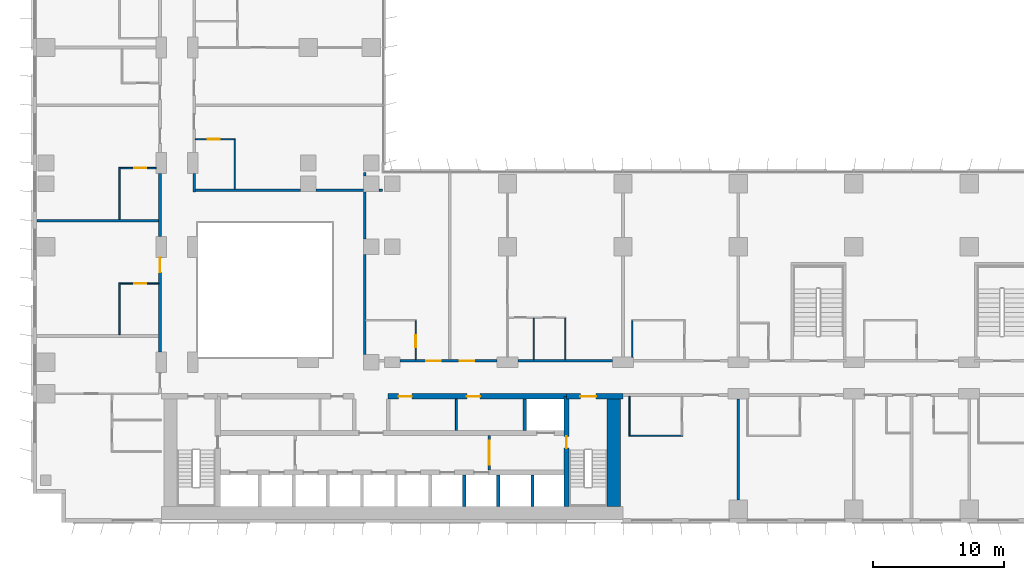
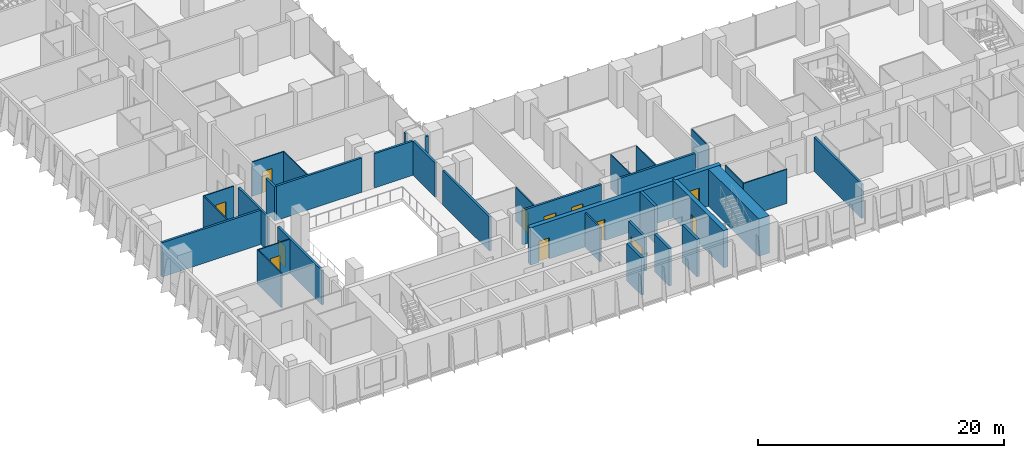
# One storey, part 13 of 24: 35 walls, 12 doors, 12 openings.
"""IFC4 building model written with IfcOpenShell, lengths in metres."""

from ifc_helpers import new_model, si_unit, direction, frame, frame_2d, origin, place, context, subcontext, project, spatial, rectangle, extrude, material, layer, layer_set, type_object, element, fill, save


model = new_model("IFC4")

# Units and contexts
model_context = context("Model", 3, precision=1e-05, world=origin(), true_north=direction((0.0, 1.0)))
body_context = subcontext(model_context, "Body", "Model", "MODEL_VIEW")
ifc_project = project(units=[si_unit("LENGTHUNIT", "METRE"), si_unit("AREAUNIT", "SQUARE_METRE"), si_unit("VOLUMEUNIT", "CUBIC_METRE"), si_unit("PLANEANGLEUNIT", "RADIAN"), si_unit("MASSUNIT", "GRAM", prefix="KILO")], contexts=[model_context])

# Site, building, storey
site_placement = place(None, origin())
site = spatial("IfcSite", under=ifc_project, at=site_placement, CompositionType="ELEMENT")
building_placement = place(site_placement, origin())
building = spatial("IfcBuilding", under=site, at=building_placement, Name="Kemantara Hotel Tower", CompositionType="ELEMENT")
storey_placement = place(building_placement, frame((0.0, 0.0, 41.39990234375)))
storey = spatial("IfcBuildingStorey", under=building, at=storey_placement, Name="L08", CompositionType="ELEMENT", Elevation=41.39990234375)

# Walls
ifc_material_1 = material(Name="Concrete fc 70 MPa", Category="concrete")
ifc_layer_1 = layer(ifc_material_1, 1.0)
ifc_layer_set_1 = layer_set([ifc_layer_1], Name="Concrete fc 70 MPa")
wall_type_1 = type_object("IfcWallType", Name="CORE WALL 1000 FC70", PredefinedType="SHEAR", material=ifc_layer_set_1)
wall_1_placement = place(storey_placement, frame((44.300048828125, 1.199951171875, 0.0), z_axis=(0.0, 0.0, 1.0), x_axis=(0.0, 1.0, 0.0)))
element("IfcWall", 1, at=wall_1_placement, inside=storey, type_object=wall_type_1, Name="CORE WALL CW-E", PredefinedType="SHEAR", context=body_context, shape_type="SweptSolid", body=[
    extrude(rectangle(XDim=8.60009765625, YDim=1.0, at=frame_2d((4.300048828125, 0.0))), origin(), (0.0, 0.0, 1.0), 3.7001953125),
])
ifc_layer_2 = layer(ifc_material_1, 0.25)
ifc_layer_set_2 = layer_set([ifc_layer_2], Name="Concrete fc 70 MPa")
wall_type_2 = type_object("IfcWallType", Name="CORE WALL 250 FC70", PredefinedType="SHEAR", material=ifc_layer_set_2)
for number, where, z_axis, x_axis, name in (
    (2, (32.89990234375, 1.199951171875, 0.0), (0.0, 0.0, 1.0), (0.0, 1.0, 0.0), "CORE WALL CW-DS32.9"),
    (3, (35.5, 1.199951171875, 0.0), (0.0, 0.0, 1.0), (0.0, 1.0, 0.0), "CORE WALL CW-DS35.5"),
    (4, (38.10009765625, 1.199951171875, 0.0), (0.0, 0.0, 1.0), (0.0, 1.0, 0.0), "CORE WALL CW-DS38.1"),
):
    element("IfcWall", number, at=place(storey_placement, frame(where, z_axis=z_axis, x_axis=x_axis)), inside=storey, type_object=wall_type_2, Name=name, PredefinedType="SHEAR", context=body_context, shape_type="SweptSolid", body=[
        extrude(rectangle(XDim=2.400146484375, YDim=0.25, at=frame_2d((1.2001953125, 0.0))), origin(), (0.0, 0.0, 1.0), 3.7001953125),
    ])
wall_2_placement = place(storey_placement, frame((37.5, 7.0, 0.0), z_axis=(0.0, 0.0, 1.0), x_axis=(0.0, 1.0, 0.0)))
element("IfcWall", 5, at=wall_2_placement, inside=storey, type_object=wall_type_2, Name="CORE WALL CW-DN37.5", PredefinedType="SHEAR", context=body_context, shape_type="SweptSolid", body=[
    extrude(rectangle(XDim=2.39990234375, YDim=0.25, at=frame_2d((1.199951171875, 0.0))), origin(), (0.0, 0.0, 1.0), 3.7001953125),
])

# Wall, opening, door
ifc_layer_3 = layer(ifc_material_1, 0.39990234375)
ifc_layer_set_3 = layer_set([ifc_layer_3], Name="Concrete fc 70 MPa")
wall_type_3 = type_object("IfcWallType", Name="CORE WALL 400 FC70", PredefinedType="SHEAR", material=ifc_layer_set_3)
wall_3_placement = place(storey_placement, frame((40.699951171875, 9.60009765625, 0.0), z_axis=(0.0, 0.0, 1.0), x_axis=(1.0, 0.0, 0.0)))
wall_3 = element("IfcWall", 6, at=wall_3_placement, inside=storey, type_object=wall_type_3, Name="CORE WALL CW-N2", PredefinedType="SHEAR", context=body_context, shape_type="SweptSolid", body=[
    extrude(rectangle(XDim=4.300048828125, YDim=0.39990234375, at=frame_2d((2.14990234375, 0.0))), origin(), (0.0, 0.0, 1.0), 3.7001953125),
])
opening_1_placement = place(wall_3_placement, frame((1.050048828125, 0.0, 0.0)))
opening_1 = element("IfcOpeningElement", 7, at=opening_1_placement, cuts=wall_3, Name="Opening C08-ST2-C", PredefinedType="OPENING", context=body_context, shape_type="SweptSolid", body=[
    extrude(rectangle(XDim=1.199951171875, YDim=2.10009765625, at=frame_2d((0.60009765625, 1.050048828125))), frame((0.0, 0.2099609375, 0.0), z_axis=(0.0, -1.0, 0.0), x_axis=(1.0, 0.0, 0.0)), (0.0, 0.0, 1.0), 0.419921875),
])
ifc_material_2 = material(Name="Steel fire door", Category="steel")
door_type_1 = type_object("IfcDoorType", Name="Fire door FD90 1200 x 2100", OperationType="NOTDEFINED", PredefinedType="DOOR", material=ifc_material_2)
door_1_placement = place(opening_1_placement, frame((1.199951171875, 0.0, 0.0), z_axis=(0.0, 0.0, 1.0), x_axis=(-1.0, 0.0, 0.0)))
door_1 = element("IfcDoor", 8, at=door_1_placement, inside=storey, type_object=door_type_1, Name="Stair ST2 door to corridor", OperationType="SINGLE_SWING_RIGHT", OverallHeight=2.10009765625, OverallWidth=1.199951171875, PredefinedType="DOOR", context=body_context, shape_type="SweptSolid", body=[
    extrude(rectangle(XDim=1.199951171875, YDim=2.10009765625, at=frame_2d((0.60009765625, 1.050048828125))), frame((0.0, 0.02490234375, 0.0), z_axis=(0.0, -1.0, 0.0), x_axis=(1.0, 0.0, 0.0)), (0.0, 0.0, 1.0), 0.050048828125),
])
fill(opening_1, door_1)

# Wall, openings, doors
wall_4_placement = place(storey_placement, frame((27.10009765625, 9.60009765625, 0.0), z_axis=(0.0, 0.0, 1.0), x_axis=(1.0, 0.0, 0.0)))
wall_4 = element("IfcWall", 9, at=wall_4_placement, inside=storey, type_object=wall_type_3, Name="CORE WALL CW-NN2", PredefinedType="SHEAR", context=body_context, shape_type="SweptSolid", body=[
    extrude(rectangle(XDim=13.599853515625, YDim=0.39990234375, at=frame_2d((6.7998046875, 0.0))), origin(), (0.0, 0.0, 1.0), 3.7001953125),
])
opening_2_placement = place(wall_4_placement, frame((0.800048828125, 0.0, 0.0)))
opening_2 = element("IfcOpeningElement", 10, at=opening_2_placement, cuts=wall_4, Name="Opening C08-R-NE1", PredefinedType="OPENING", context=body_context, shape_type="SweptSolid", body=[
    extrude(rectangle(XDim=1.0, YDim=2.10009765625, at=frame_2d((0.5, 1.050048828125))), frame((0.0, 0.2099609375, 0.0), z_axis=(0.0, -1.0, 0.0), x_axis=(1.0, 0.0, 0.0)), (0.0, 0.0, 1.0), 0.419921875),
])
opening_3_placement = place(wall_4_placement, frame((6.0, 0.0, 0.0)))
opening_3 = element("IfcOpeningElement", 11, at=opening_3_placement, cuts=wall_4, Name="Opening C08-R-NE2", PredefinedType="OPENING", context=body_context, shape_type="SweptSolid", body=[
    extrude(rectangle(XDim=1.0, YDim=2.10009765625, at=frame_2d((0.5, 1.050048828125))), frame((0.0, 0.2099609375, 0.0), z_axis=(0.0, -1.0, 0.0), x_axis=(1.0, 0.0, 0.0)), (0.0, 0.0, 1.0), 0.419921875),
])
door_type_2 = type_object("IfcDoorType", Name="Fire door FD30S 1000 x 2100", OperationType="NOTDEFINED", PredefinedType="DOOR", material=ifc_material_2)
door_2_placement = place(opening_2_placement, frame((1.0, 0.0, 0.0), z_axis=(0.0, 0.0, 1.0), x_axis=(-1.0, 0.0, 0.0)))
door_2 = element("IfcDoor", 12, at=door_2_placement, inside=storey, type_object=door_type_2, Name="Staff Lounge door", OperationType="SINGLE_SWING_RIGHT", OverallHeight=2.10009765625, OverallWidth=1.0, PredefinedType="DOOR", context=body_context, shape_type="SweptSolid", body=[
    extrude(rectangle(XDim=1.0, YDim=2.10009765625, at=frame_2d((0.5, 1.050048828125))), frame((0.0, 0.02490234375, 0.0), z_axis=(0.0, -1.0, 0.0), x_axis=(1.0, 0.0, 0.0)), (0.0, 0.0, 1.0), 0.050048828125),
])
fill(opening_2, door_2)
door_3_placement = place(opening_3_placement, frame((1.0, 0.0, 0.0), z_axis=(0.0, 0.0, 1.0), x_axis=(-1.0, 0.0, 0.0)))
door_3 = element("IfcDoor", 13, at=door_3_placement, inside=storey, type_object=door_type_2, Name="Luggage Store door", OperationType="SINGLE_SWING_RIGHT", OverallHeight=2.10009765625, OverallWidth=1.0, PredefinedType="DOOR", context=body_context, shape_type="SweptSolid", body=[
    extrude(rectangle(XDim=1.0, YDim=2.10009765625, at=frame_2d((0.5, 1.050048828125))), frame((0.0, 0.02490234375, 0.0), z_axis=(0.0, -1.0, 0.0), x_axis=(1.0, 0.0, 0.0)), (0.0, 0.0, 1.0), 0.050048828125),
])
fill(opening_3, door_3)

# Wall, opening, door
wall_5_placement = place(storey_placement, frame((40.699951171875, 1.199951171875, 0.0), z_axis=(0.0, 0.0, 1.0), x_axis=(0.0, 1.0, 0.0)))
wall_5 = element("IfcWall", 14, at=wall_5_placement, inside=storey, type_object=wall_type_3, Name="CORE WALL CW-ST2W", PredefinedType="SHEAR", context=body_context, shape_type="SweptSolid", body=[
    extrude(rectangle(XDim=8.400146484375, YDim=0.39990234375, at=frame_2d((4.2001953125, 0.0))), origin(), (0.0, 0.0, 1.0), 3.7001953125),
])
opening_4_placement = place(wall_5_placement, frame((4.449951171875, 0.0, 0.0)))
opening_4 = element("IfcOpeningElement", 15, at=opening_4_placement, cuts=wall_5, Name="Opening C08-ST2-F", PredefinedType="OPENING", context=body_context, shape_type="SweptSolid", body=[
    extrude(rectangle(XDim=0.89990234375, YDim=2.10009765625, at=frame_2d((0.449951171875, 1.050048828125))), frame((0.0, 0.2099609375, 0.0), z_axis=(0.0, -1.0, 0.0), x_axis=(1.0, 0.0, 0.0)), (0.0, 0.0, 1.0), 0.419921875),
])
door_type_3 = type_object("IfcDoorType", Name="Fire door FD90 900 x 2100", OperationType="NOTDEFINED", PredefinedType="DOOR", material=ifc_material_2)
door_4_placement = place(opening_4_placement, frame((0.89990234375, 0.0, 0.0), z_axis=(0.0, 0.0, 1.0), x_axis=(-1.0, 0.0, 0.0)))
door_4 = element("IfcDoor", 16, at=door_4_placement, inside=storey, type_object=door_type_3, Name="Stair ST2 door to firefighting lobby", OperationType="SINGLE_SWING_LEFT", OverallHeight=2.10009765625, OverallWidth=0.89990234375, PredefinedType="DOOR", context=body_context, shape_type="SweptSolid", body=[
    extrude(rectangle(XDim=0.89990234375, YDim=2.10009765625, at=frame_2d((0.449951171875, 1.050048828125))), frame((0.0, 0.02490234375, 0.0), z_axis=(0.0, -1.0, 0.0), x_axis=(1.0, 0.0, 0.0)), (0.0, 0.0, 1.0), 0.050048828125),
])
fill(opening_4, door_4)

# Wall, openings, doors
ifc_material_3 = material(Name="Gypsum board partition, steel studs and mineral wool, 200 mm", Category="steel")
ifc_layer_4 = layer(ifc_material_3, 0.199951171875)
ifc_layer_set_4 = layer_set([ifc_layer_4], Name="Gypsum board partition, steel studs and mineral wool, 200 mm")
wall_type_4 = type_object("IfcWallType", Name="CORRIDOR WALL 200", PredefinedType="PARTITIONING", material=ifc_layer_set_4)
wall_6_placement = place(storey_placement, frame((28.0, 12.300048828125, 0.0), z_axis=(0.0, 0.0, 1.0), x_axis=(1.0, 0.0, 0.0)))
wall_6 = element("IfcWall", 17, at=wall_6_placement, inside=storey, type_object=wall_type_4, Name="CORRIDOR WALL 200 012", PredefinedType="PARTITIONING", context=body_context, shape_type="SweptSolid", body=[
    extrude(rectangle(XDim=7.39990234375, YDim=0.199951171875, at=frame_2d((3.699951171875, 0.0))), origin(), (0.0, 0.0, 1.0), 3.400146484375),
])
opening_5_placement = place(wall_6_placement, frame((2.0, 0.0, 0.0)))
opening_5 = element("IfcOpeningElement", 18, at=opening_5_placement, cuts=wall_6, Name="Opening F02-011", PredefinedType="OPENING", context=body_context, shape_type="SweptSolid", body=[
    extrude(rectangle(XDim=1.10009765625, YDim=2.10009765625, at=frame_2d((0.550048828125, 1.050048828125))), frame((0.0, 0.10986328125, 0.0), z_axis=(0.0, -1.0, 0.0), x_axis=(1.0, 0.0, 0.0)), (0.0, 0.0, 1.0), 0.219970703125),
])
opening_6_placement = place(wall_6_placement, frame((4.5498046875, 0.0, 0.0)))
opening_6 = element("IfcOpeningElement", 19, at=opening_6_placement, cuts=wall_6, Name="Opening F02-013", PredefinedType="OPENING", context=body_context, shape_type="SweptSolid", body=[
    extrude(rectangle(XDim=1.10009765625, YDim=2.10009765625, at=frame_2d((0.550048828125, 1.050048828125))), frame((0.0, 0.10986328125, 0.0), z_axis=(0.0, -1.0, 0.0), x_axis=(1.0, 0.0, 0.0)), (0.0, 0.0, 1.0), 0.219970703125),
])
ifc_material_4 = material(Name="Hardwood veneer door leaf with steel frame", Category="steel")
door_type_4 = type_object("IfcDoorType", Name="SUITE ENTRANCE DOOR 1100 X 2100 FD30S", OperationType="NOTDEFINED", PredefinedType="DOOR", material=ifc_material_4)
door_5_placement = place(opening_5_placement, origin())
door_5 = element("IfcDoor", 20, at=door_5_placement, inside=storey, type_object=door_type_4, Name="SUITE ENTRANCE DOOR F02-011", OperationType="SINGLE_SWING_RIGHT", OverallHeight=2.10009765625, OverallWidth=1.10009765625, PredefinedType="DOOR", context=body_context, shape_type="SweptSolid", body=[
    extrude(rectangle(XDim=1.10009765625, YDim=2.10009765625, at=frame_2d((0.550048828125, 1.050048828125))), frame((0.0, 0.02490234375, 0.0), z_axis=(0.0, -1.0, 0.0), x_axis=(1.0, 0.0, 0.0)), (0.0, 0.0, 1.0), 0.050048828125),
])
fill(opening_5, door_5)
door_6_placement = place(opening_6_placement, origin())
door_6 = element("IfcDoor", 21, at=door_6_placement, inside=storey, type_object=door_type_4, Name="SUITE ENTRANCE DOOR F02-013", OperationType="SINGLE_SWING_LEFT", OverallHeight=2.10009765625, OverallWidth=1.10009765625, PredefinedType="DOOR", context=body_context, shape_type="SweptSolid", body=[
    extrude(rectangle(XDim=1.10009765625, YDim=2.10009765625, at=frame_2d((0.550048828125, 1.050048828125))), frame((0.0, 0.02490234375, 0.0), z_axis=(0.0, -1.0, 0.0), x_axis=(1.0, 0.0, 0.0)), (0.0, 0.0, 1.0), 0.050048828125),
])
fill(opening_6, door_6)

# Wall
wall_7_placement = place(storey_placement, frame((37.0, 12.300048828125, 0.0), z_axis=(0.0, 0.0, 1.0), x_axis=(1.0, 0.0, 0.0)))
element("IfcWall", 22, at=wall_7_placement, inside=storey, type_object=wall_type_4, Name="CORRIDOR WALL 200 013", PredefinedType="PARTITIONING", context=body_context, shape_type="SweptSolid", body=[
    extrude(rectangle(XDim=7.199951171875, YDim=0.199951171875, at=frame_2d((3.60009765625, 0.0))), origin(), (0.0, 0.0, 1.0), 3.400146484375),
])

# Wall, opening, door
wall_8_placement = place(storey_placement, frame((9.699951171875, 13.0, 0.0), z_axis=(0.0, 0.0, 1.0), x_axis=(0.0, 1.0, 0.0)))
wall_8 = element("IfcWall", 23, at=wall_8_placement, inside=storey, type_object=wall_type_4, Name="CORRIDOR WALL 200 025", PredefinedType="PARTITIONING", context=body_context, shape_type="SweptSolid", body=[
    extrude(rectangle(XDim=7.199951171875, YDim=0.199951171875, at=frame_2d((3.60009765625, 0.0))), origin(), (0.0, 0.0, 1.0), 3.400146484375),
])
opening_7_placement = place(wall_8_placement, frame((6.0498046875, 0.0, 0.0)))
opening_7 = element("IfcOpeningElement", 24, at=opening_7_placement, cuts=wall_8, Name="Opening F02-029", PredefinedType="OPENING", context=body_context, shape_type="SweptSolid", body=[
    extrude(rectangle(XDim=1.10009765625, YDim=2.10009765625, at=frame_2d((0.550048828125, 1.050048828125))), frame((0.0, 0.10986328125, 0.0), z_axis=(0.0, -1.0, 0.0), x_axis=(1.0, 0.0, 0.0)), (0.0, 0.0, 1.0), 0.219970703125),
])
door_7_placement = place(opening_7_placement, origin())
door_7 = element("IfcDoor", 25, at=door_7_placement, inside=storey, type_object=door_type_4, Name="SUITE ENTRANCE DOOR F02-029", OperationType="SINGLE_SWING_RIGHT", OverallHeight=2.10009765625, OverallWidth=1.10009765625, PredefinedType="DOOR", context=body_context, shape_type="SweptSolid", body=[
    extrude(rectangle(XDim=1.10009765625, YDim=2.10009765625, at=frame_2d((0.550048828125, 1.050048828125))), frame((0.0, 0.02490234375, 0.0), z_axis=(0.0, -1.0, 0.0), x_axis=(1.0, 0.0, 0.0)), (0.0, 0.0, 1.0), 0.050048828125),
])
fill(opening_7, door_7)

# Walls
wall_9_placement = place(storey_placement, frame((9.699951171875, 21.800048828125, 0.0), z_axis=(0.0, 0.0, 1.0), x_axis=(0.0, 1.0, 0.0)))
element("IfcWall", 26, at=wall_9_placement, inside=storey, type_object=wall_type_4, Name="CORRIDOR WALL 200 026", PredefinedType="PARTITIONING", context=body_context, shape_type="SweptSolid", body=[
    extrude(rectangle(XDim=4.7998046875, YDim=0.199951171875, at=frame_2d((2.39990234375, 0.0))), origin(), (0.0, 0.0, 1.0), 3.400146484375),
])
wall_10_placement = place(storey_placement, frame((12.300048828125, 25.199951171875, 0.0), z_axis=(0.0, 0.0, 1.0), x_axis=(0.0, 1.0, 0.0)))
element("IfcWall", 27, at=wall_10_placement, inside=storey, type_object=wall_type_4, Name="CORRIDOR WALL 200 043", PredefinedType="PARTITIONING", context=body_context, shape_type="SweptSolid", body=[
    extrude(rectangle(XDim=1.39990234375, YDim=0.199951171875, at=frame_2d((0.699951171875, 0.0))), origin(), (0.0, 0.0, 1.0), 3.400146484375),
])
ifc_layer_5 = layer(ifc_material_3, 0.199951171875)
ifc_layer_set_5 = layer_set([ifc_layer_5], Name="Gypsum board partition, steel studs and mineral wool, 200 mm")
wall_type_5 = type_object("IfcWallType", Name="GUEST ROOM PARTY WALL 200", PredefinedType="PARTITIONING", material=ifc_layer_set_5)
wall_11_placement = place(storey_placement, frame((53.800048828125, 1.7001953125, 0.0), z_axis=(0.0, 0.0, 1.0), x_axis=(0.0, 1.0, 0.0)))
element("IfcWall", 28, at=wall_11_placement, inside=storey, type_object=wall_type_5, Name="GUEST ROOM PARTY WALL 200 005", PredefinedType="PARTITIONING", context=body_context, shape_type="SweptSolid", body=[
    extrude(rectangle(XDim=7.69970703125, YDim=0.199951171875, at=frame_2d((3.849853515625, 0.0))), origin(), (0.0, 0.0, 1.0), 3.400146484375),
])
wall_12_placement = place(storey_placement, frame((25.300048828125, 12.800048828125, 0.0), z_axis=(0.0, 0.0, 1.0), x_axis=(0.0, 1.0, 0.0)))
element("IfcWall", 29, at=wall_12_placement, inside=storey, type_object=wall_type_5, Name="GUEST ROOM PARTY WALL 200 018", PredefinedType="PARTITIONING", context=body_context, shape_type="SweptSolid", body=[
    extrude(rectangle(XDim=7.599853515625, YDim=0.199951171875, at=frame_2d((3.7998046875, 0.0))), origin(), (0.0, 0.0, 1.0), 3.400146484375),
])
wall_13_placement = place(storey_placement, frame((25.300048828125, 21.60009765625, 0.0), z_axis=(0.0, 0.0, 1.0), x_axis=(0.0, 1.0, 0.0)))
element("IfcWall", 30, at=wall_13_placement, inside=storey, type_object=wall_type_5, Name="GUEST ROOM PARTY WALL 200 019", PredefinedType="PARTITIONING", context=body_context, shape_type="SweptSolid", body=[
    extrude(rectangle(XDim=3.599853515625, YDim=0.199951171875, at=frame_2d((1.7998046875, 0.0))), origin(), (0.0, 0.0, 1.0), 3.400146484375),
])
wall_14_placement = place(storey_placement, frame((25.300048828125, 26.400146484375, 0.0), z_axis=(0.0, 0.0, 1.0), x_axis=(0.0, 1.0, 0.0)))
element("IfcWall", 31, at=wall_14_placement, inside=storey, type_object=wall_type_5, Name="GUEST ROOM PARTY WALL 200 020", PredefinedType="PARTITIONING", context=body_context, shape_type="SweptSolid", body=[
    extrude(rectangle(XDim=0.269775390625, YDim=0.199951171875, at=frame_2d((0.134765625, 0.0))), origin(), (0.0, 0.0, 1.0), 3.400146484375),
])
wall_15_placement = place(storey_placement, frame((0.31005859375, 23.0, 0.0), z_axis=(0.0, 0.0, 1.0), x_axis=(1.0, 0.0, 0.0)))
element("IfcWall", 32, at=wall_15_placement, inside=storey, type_object=wall_type_5, Name="GUEST ROOM PARTY WALL 200 034", PredefinedType="PARTITIONING", context=body_context, shape_type="SweptSolid", body=[
    extrude(rectangle(XDim=9.2900390625, YDim=0.199951171875, at=frame_2d((4.64501953125, 0.0))), origin(), (0.0, 0.0, 1.0), 3.400146484375),
])
wall_16_placement = place(storey_placement, frame((12.39990234375, 25.300048828125, 0.0), z_axis=(0.0, 0.0, 1.0), x_axis=(1.0, 0.0, 0.0)))
element("IfcWall", 33, at=wall_16_placement, inside=storey, type_object=wall_type_5, Name="GUEST ROOM PARTY WALL 200 050", PredefinedType="PARTITIONING", context=body_context, shape_type="SweptSolid", body=[
    extrude(rectangle(XDim=8.0, YDim=0.199951171875, at=frame_2d((4.0, 0.0))), origin(), (0.0, 0.0, 1.0), 3.400146484375),
])
wall_17_placement = place(storey_placement, frame((21.60009765625, 25.300048828125, 0.0), z_axis=(0.0, 0.0, 1.0), x_axis=(1.0, 0.0, 0.0)))
element("IfcWall", 34, at=wall_17_placement, inside=storey, type_object=wall_type_5, Name="GUEST ROOM PARTY WALL 200 051", PredefinedType="PARTITIONING", context=body_context, shape_type="SweptSolid", body=[
    extrude(rectangle(XDim=3.599853515625, YDim=0.199951171875, at=frame_2d((1.7998046875, 0.0))), origin(), (0.0, 0.0, 1.0), 3.400146484375),
])
wall_18_placement = place(storey_placement, frame((26.400146484375, 25.300048828125, 0.0), z_axis=(0.0, 0.0, 1.0), x_axis=(1.0, 0.0, 0.0)))
element("IfcWall", 35, at=wall_18_placement, inside=storey, type_object=wall_type_5, Name="GUEST ROOM PARTY WALL 200 052", PredefinedType="PARTITIONING", context=body_context, shape_type="SweptSolid", body=[
    extrude(rectangle(XDim=0.269775390625, YDim=0.199951171875, at=frame_2d((0.134765625, 0.0))), origin(), (0.0, 0.0, 1.0), 3.400146484375),
])
ifc_material_5 = material(Name="Gypsum board partition")
ifc_layer_6 = layer(ifc_material_5, 0.14990234375)
ifc_layer_set_6 = layer_set([ifc_layer_6], Name="Gypsum board partition")
wall_type_6 = type_object("IfcWallType", Name="Gypsum board partition 150 mm", PredefinedType="PARTITIONING", material=ifc_layer_set_6)
wall_19_placement = place(storey_placement, frame((32.300048828125, 7.0, 0.0), z_axis=(0.0, 0.0, 1.0), x_axis=(0.0, 1.0, 0.0)))
element("IfcWall", 36, at=wall_19_placement, inside=storey, type_object=wall_type_6, Name="Core room partition", PredefinedType="PARTITIONING", context=body_context, shape_type="SweptSolid", body=[
    extrude(rectangle(XDim=2.39990234375, YDim=0.14990234375, at=frame_2d((1.199951171875, 0.0))), origin(), (0.0, 0.0, 1.0), 3.400146484375),
])

# Wall, opening, door
ifc_material_6 = material(Name="Gypsum board shaft wall")
ifc_layer_7 = layer(ifc_material_6, 0.199951171875)
ifc_layer_set_7 = layer_set([ifc_layer_7], Name="Gypsum board shaft wall")
wall_type_7 = type_object("IfcWallType", Name="Gypsum board shaft wall 200 mm", PredefinedType="PARTITIONING", material=ifc_layer_set_7)
wall_20_placement = place(storey_placement, frame((34.800048828125, 4.0, 0.0), z_axis=(0.0, 0.0, 1.0), x_axis=(0.0, 1.0, 0.0)))
wall_20 = element("IfcWall", 37, at=wall_20_placement, inside=storey, type_object=wall_type_7, Name="Firefighting lobby partition east", PredefinedType="PARTITIONING", context=body_context, shape_type="SweptSolid", body=[
    extrude(rectangle(XDim=2.60009765625, YDim=0.199951171875, at=frame_2d((1.300048828125, 0.0))), origin(), (0.0, 0.0, 1.0), 3.400146484375),
])
opening_8_placement = place(wall_20_placement, frame((0.39990234375, 0.0, 0.0)))
opening_8 = element("IfcOpeningElement", 38, at=opening_8_placement, cuts=wall_20, Name="Opening C08-FFE", PredefinedType="OPENING", context=body_context, shape_type="SweptSolid", body=[
    extrude(rectangle(XDim=1.800048828125, YDim=2.10009765625, at=frame_2d((0.89990234375, 1.050048828125))), frame((0.0, 0.10986328125, 0.0), z_axis=(0.0, -1.0, 0.0), x_axis=(1.0, 0.0, 0.0)), (0.0, 0.0, 1.0), 0.219970703125),
])
door_type_5 = type_object("IfcDoorType", Name="Fire door pair FD60 1800 x 2100", OperationType="DOUBLE_DOOR_SINGLE_SWING", PredefinedType="DOOR", material=ifc_material_2)
door_8_placement = place(opening_8_placement, frame((1.800048828125, 0.0, 0.0), z_axis=(0.0, 0.0, 1.0), x_axis=(-1.0, 0.0, 0.0)))
door_8 = element("IfcDoor", 39, at=door_8_placement, inside=storey, type_object=door_type_5, Name="Firefighting lobby door east", OperationType="DOUBLE_DOOR_SINGLE_SWING", OverallHeight=2.10009765625, OverallWidth=1.800048828125, PredefinedType="DOOR", context=body_context, shape_type="SweptSolid", body=[
    extrude(rectangle(XDim=1.800048828125, YDim=2.10009765625, at=frame_2d((0.89990234375, 1.050048828125))), frame((0.0, 0.02490234375, 0.0), z_axis=(0.0, -1.0, 0.0), x_axis=(1.0, 0.0, 0.0)), (0.0, 0.0, 1.0), 0.050048828125),
])
fill(opening_8, door_8)

# Walls
ifc_material_7 = material(Name="Gypsum board partition on steel studs, 100 mm", Category="steel")
ifc_layer_8 = layer(ifc_material_7, 0.10009765625)
ifc_layer_set_8 = layer_set([ifc_layer_8], Name="Gypsum board partition on steel studs, 100 mm")
wall_type_8 = type_object("IfcWallType", Name="ROOM PARTITION 100", PredefinedType="PARTITIONING", material=ifc_layer_set_8)
wall_21_placement = place(storey_placement, frame((45.449951171875, 6.60009765625, 0.0), z_axis=(0.0, 0.0, 1.0), x_axis=(1.0, 0.0, 0.0)))
element("IfcWall", 40, at=wall_21_placement, inside=storey, type_object=wall_type_8, Name="ROOM PARTITION 100 056", PredefinedType="PARTITIONING", context=body_context, shape_type="SweptSolid", body=[
    extrude(rectangle(XDim=4.10009765625, YDim=0.10009765625, at=frame_2d((2.050048828125, 0.0))), origin(), (0.0, 0.0, 1.0), 3.400146484375),
])
wall_22_placement = place(storey_placement, frame((45.5, 6.64990234375, 0.0), z_axis=(0.0, 0.0, 1.0), x_axis=(0.0, 1.0, 0.0)))
element("IfcWall", 41, at=wall_22_placement, inside=storey, type_object=wall_type_8, Name="ROOM PARTITION 100 058", PredefinedType="PARTITIONING", context=body_context, shape_type="SweptSolid", body=[
    extrude(rectangle(XDim=2.9501953125, YDim=0.10009765625, at=frame_2d((1.47509765625, 0.0))), origin(), (0.0, 0.0, 1.0), 3.400146484375),
])

# Wall, opening, door
wall_23_placement = place(storey_placement, frame((29.199951171875, 12.39990234375, 0.0), z_axis=(0.0, 0.0, 1.0), x_axis=(0.0, 1.0, 0.0)))
wall_23 = element("IfcWall", 42, at=wall_23_placement, inside=storey, type_object=wall_type_8, Name="ROOM PARTITION 100 072", PredefinedType="PARTITIONING", context=body_context, shape_type="SweptSolid", body=[
    extrude(rectangle(XDim=2.9501953125, YDim=0.10009765625, at=frame_2d((1.47509765625, 0.0))), origin(), (0.0, 0.0, 1.0), 3.400146484375),
])
opening_9_placement = place(wall_23_placement, frame((0.949951171875, 0.0, 0.0)))
opening_9 = element("IfcOpeningElement", 43, at=opening_9_placement, cuts=wall_23, Name="Opening F02-012", PredefinedType="OPENING", context=body_context, shape_type="SweptSolid", body=[
    extrude(rectangle(XDim=0.89990234375, YDim=2.10009765625, at=frame_2d((0.449951171875, 1.050048828125))), frame((0.0, 0.06005859375, 0.0), z_axis=(0.0, -1.0, 0.0), x_axis=(1.0, 0.0, 0.0)), (0.0, 0.0, 1.0), 0.1201171875),
])
door_type_6 = type_object("IfcDoorType", Name="BATHROOM DOOR 900 X 2100", OperationType="NOTDEFINED", PredefinedType="DOOR", material=ifc_material_4)
door_9_placement = place(opening_9_placement, origin())
door_9 = element("IfcDoor", 44, at=door_9_placement, inside=storey, type_object=door_type_6, Name="BATHROOM DOOR F02-012", OperationType="SINGLE_SWING_LEFT", OverallHeight=2.10009765625, OverallWidth=0.89990234375, PredefinedType="DOOR", context=body_context, shape_type="SweptSolid", body=[
    extrude(rectangle(XDim=0.89990234375, YDim=2.10009765625, at=frame_2d((0.449951171875, 1.050048828125))), frame((0.0, 0.02490234375, 0.0), z_axis=(0.0, -1.0, 0.0), x_axis=(1.0, 0.0, 0.0)), (0.0, 0.0, 1.0), 0.050048828125),
])
fill(opening_9, door_9)

# Walls
for number, where, z_axis, x_axis, name in (
    (45, (40.60009765625, 12.39990234375, 0.0), (0.0, 0.0, 1.0), (0.0, 1.0, 0.0), "ROOM PARTITION 100 076"),
    (46, (38.199951171875, 12.39990234375, 0.0), (0.0, 0.0, 1.0), (0.0, 1.0, 0.0), "ROOM PARTITION 100 077"),
):
    element("IfcWall", number, at=place(storey_placement, frame(where, z_axis=z_axis, x_axis=x_axis)), inside=storey, type_object=wall_type_8, Name=name, PredefinedType="PARTITIONING", context=body_context, shape_type="SweptSolid", body=[
        extrude(rectangle(XDim=3.150146484375, YDim=0.10009765625, at=frame_2d((1.5751953125, 0.0))), origin(), (0.0, 0.0, 1.0), 3.400146484375),
    ])
wall_24_placement = place(storey_placement, frame((45.699951171875, 12.60009765625, 0.0), z_axis=(0.0, 0.0, 1.0), x_axis=(0.0, 1.0, 0.0)))
element("IfcWall", 47, at=wall_24_placement, inside=storey, type_object=wall_type_8, Name="ROOM PARTITION 100 078", PredefinedType="PARTITIONING", context=body_context, shape_type="SweptSolid", body=[
    extrude(rectangle(XDim=2.75, YDim=0.10009765625, at=frame_2d((1.375, 0.0))), origin(), (0.0, 0.0, 1.0), 3.400146484375),
])
for number, where, z_axis, x_axis, name in (
    (48, (6.60009765625, 14.300048828125, 0.0), (0.0, 0.0, 1.0), (0.0, 1.0, 0.0), "ROOM PARTITION 100 091"),
    (49, (6.60009765625, 23.10009765625, 0.0), (0.0, 0.0, 1.0), (0.0, 1.0, 0.0), "ROOM PARTITION 100 092"),
):
    element("IfcWall", number, at=place(storey_placement, frame(where, z_axis=z_axis, x_axis=x_axis)), inside=storey, type_object=wall_type_8, Name=name, PredefinedType="PARTITIONING", context=body_context, shape_type="SweptSolid", body=[
        extrude(rectangle(XDim=3.949951171875, YDim=0.10009765625, at=frame_2d((1.97509765625, 0.0))), origin(), (0.0, 0.0, 1.0), 3.400146484375),
    ])

# Wall, opening, door
wall_25_placement = place(storey_placement, frame((9.60009765625, 18.199951171875, 0.0), z_axis=(0.0, 0.0, 1.0), x_axis=(-1.0, 0.0, 0.0)))
wall_25 = element("IfcWall", 50, at=wall_25_placement, inside=storey, type_object=wall_type_8, Name="ROOM PARTITION 100 096", PredefinedType="PARTITIONING", context=body_context, shape_type="SweptSolid", body=[
    extrude(rectangle(XDim=2.9501953125, YDim=0.10009765625, at=frame_2d((1.47509765625, 0.0))), origin(), (0.0, 0.0, 1.0), 3.400146484375),
])
opening_10_placement = place(wall_25_placement, frame((0.949951171875, 0.0, 0.0)))
opening_10 = element("IfcOpeningElement", 51, at=opening_10_placement, cuts=wall_25, Name="Opening F02-030", PredefinedType="OPENING", context=body_context, shape_type="SweptSolid", body=[
    extrude(rectangle(XDim=0.89990234375, YDim=2.10009765625, at=frame_2d((0.449951171875, 1.050048828125))), frame((0.0, 0.06005859375, 0.0), z_axis=(0.0, -1.0, 0.0), x_axis=(1.0, 0.0, 0.0)), (0.0, 0.0, 1.0), 0.1201171875),
])
door_10_placement = place(opening_10_placement, origin())
door_10 = element("IfcDoor", 52, at=door_10_placement, inside=storey, type_object=door_type_6, Name="BATHROOM DOOR F02-030", OperationType="SINGLE_SWING_LEFT", OverallHeight=2.10009765625, OverallWidth=0.89990234375, PredefinedType="DOOR", context=body_context, shape_type="SweptSolid", body=[
    extrude(rectangle(XDim=0.89990234375, YDim=2.10009765625, at=frame_2d((0.449951171875, 1.050048828125))), frame((0.0, 0.02490234375, 0.0), z_axis=(0.0, -1.0, 0.0), x_axis=(1.0, 0.0, 0.0)), (0.0, 0.0, 1.0), 0.050048828125),
])
fill(opening_10, door_10)

wall_26_placement = place(storey_placement, frame((9.39990234375, 27.0, 0.0), z_axis=(0.0, 0.0, 1.0), x_axis=(-1.0, 0.0, 0.0)))
wall_26 = element("IfcWall", 53, at=wall_26_placement, inside=storey, type_object=wall_type_8, Name="ROOM PARTITION 100 097", PredefinedType="PARTITIONING", context=body_context, shape_type="SweptSolid", body=[
    extrude(rectangle(XDim=2.75, YDim=0.10009765625, at=frame_2d((1.375, 0.0))), origin(), (0.0, 0.0, 1.0), 3.400146484375),
])
opening_11_placement = place(wall_26_placement, frame((0.75, 0.0, 0.0)))
opening_11 = element("IfcOpeningElement", 54, at=opening_11_placement, cuts=wall_26, Name="Opening F02-032", PredefinedType="OPENING", context=body_context, shape_type="SweptSolid", body=[
    extrude(rectangle(XDim=0.89990234375, YDim=2.10009765625, at=frame_2d((0.449951171875, 1.050048828125))), frame((0.0, 0.06005859375, 0.0), z_axis=(0.0, -1.0, 0.0), x_axis=(1.0, 0.0, 0.0)), (0.0, 0.0, 1.0), 0.1201171875),
])
door_11_placement = place(opening_11_placement, origin())
door_11 = element("IfcDoor", 55, at=door_11_placement, inside=storey, type_object=door_type_6, Name="BATHROOM DOOR F02-032", OperationType="SINGLE_SWING_LEFT", OverallHeight=2.10009765625, OverallWidth=0.89990234375, PredefinedType="DOOR", context=body_context, shape_type="SweptSolid", body=[
    extrude(rectangle(XDim=0.89990234375, YDim=2.10009765625, at=frame_2d((0.449951171875, 1.050048828125))), frame((0.0, 0.02490234375, 0.0), z_axis=(0.0, -1.0, 0.0), x_axis=(1.0, 0.0, 0.0)), (0.0, 0.0, 1.0), 0.050048828125),
])
fill(opening_11, door_11)

# Wall
wall_27_placement = place(storey_placement, frame((15.39990234375, 25.39990234375, 0.0), z_axis=(0.0, 0.0, 1.0), x_axis=(0.0, 1.0, 0.0)))
element("IfcWall", 56, at=wall_27_placement, inside=storey, type_object=wall_type_8, Name="ROOM PARTITION 100 109", PredefinedType="PARTITIONING", context=body_context, shape_type="SweptSolid", body=[
    extrude(rectangle(XDim=3.85009765625, YDim=0.10009765625, at=frame_2d((1.925048828125, 0.0))), origin(), (0.0, 0.0, 1.0), 3.400146484375),
])

# Wall, opening, door
wall_28_placement = place(storey_placement, frame((15.35009765625, 29.199951171875, 0.0), z_axis=(0.0, 0.0, 1.0), x_axis=(-1.0, 0.0, 0.0)))
wall_28 = element("IfcWall", 57, at=wall_28_placement, inside=storey, type_object=wall_type_8, Name="ROOM PARTITION 100 111", PredefinedType="PARTITIONING", context=body_context, shape_type="SweptSolid", body=[
    extrude(rectangle(XDim=2.9501953125, YDim=0.10009765625, at=frame_2d((1.47509765625, 0.0))), origin(), (0.0, 0.0, 1.0), 3.400146484375),
])
opening_12_placement = place(wall_28_placement, frame((1.10009765625, 0.0, 0.0)))
opening_12 = element("IfcOpeningElement", 58, at=opening_12_placement, cuts=wall_28, Name="Opening F02-046", PredefinedType="OPENING", context=body_context, shape_type="SweptSolid", body=[
    extrude(rectangle(XDim=0.89990234375, YDim=2.10009765625, at=frame_2d((0.449951171875, 1.050048828125))), frame((0.0, 0.06005859375, 0.0), z_axis=(0.0, -1.0, 0.0), x_axis=(1.0, 0.0, 0.0)), (0.0, 0.0, 1.0), 0.1201171875),
])
door_12_placement = place(opening_12_placement, origin())
door_12 = element("IfcDoor", 59, at=door_12_placement, inside=storey, type_object=door_type_6, Name="BATHROOM DOOR F02-046", OperationType="SINGLE_SWING_RIGHT", OverallHeight=2.10009765625, OverallWidth=0.89990234375, PredefinedType="DOOR", context=body_context, shape_type="SweptSolid", body=[
    extrude(rectangle(XDim=0.89990234375, YDim=2.10009765625, at=frame_2d((0.449951171875, 1.050048828125))), frame((0.0, 0.02490234375, 0.0), z_axis=(0.0, -1.0, 0.0), x_axis=(1.0, 0.0, 0.0)), (0.0, 0.0, 1.0), 0.050048828125),
])
fill(opening_12, door_12)

save(model, "model.ifc")
